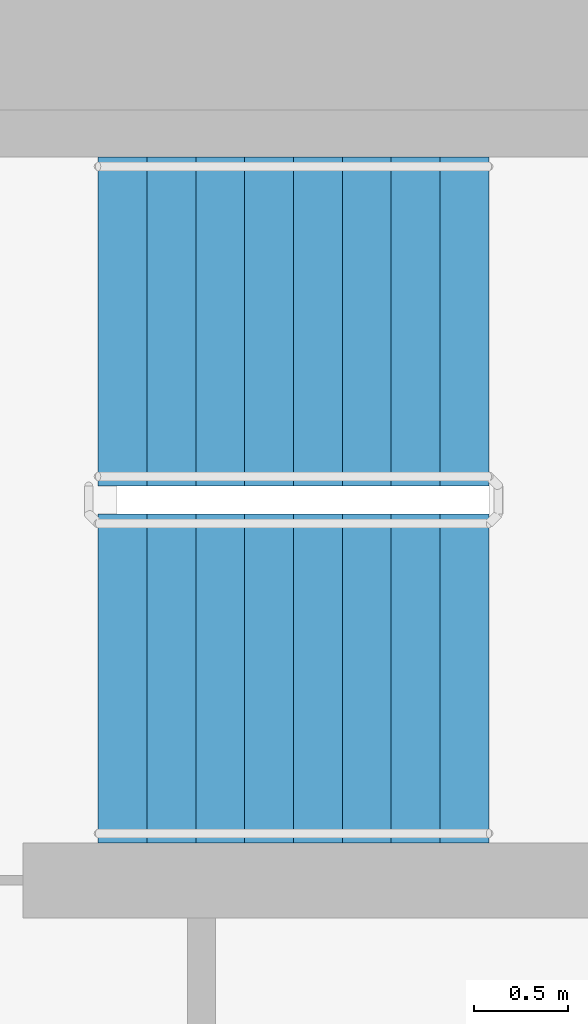
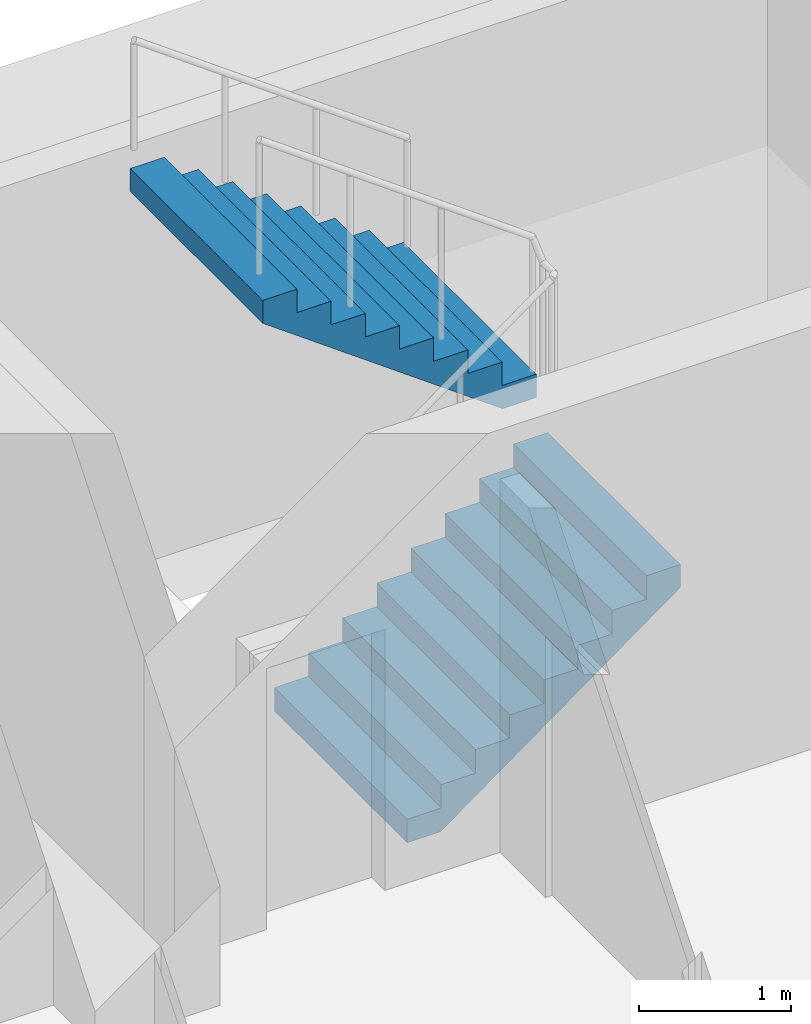
# One storey, part 16 of 21: 2 stair flights, 1 element without a shape of its own.
"""IFC4 building model written with IfcOpenShell, lengths in metres."""

from ifc_helpers import new_model, si_unit, direction, frame, origin, place, context, subcontext, project, spatial, faceted_brep, material, type_object, element, aggregate, save


model = new_model("IFC4")

# Units and contexts
model_context = context("Model", 3, precision=1e-05, world=origin(), true_north=direction((0.0, 1.0)))
body_context = subcontext(model_context, "Body", "Model", "MODEL_VIEW")
ifc_project = project(units=[si_unit("LENGTHUNIT", "METRE"), si_unit("AREAUNIT", "SQUARE_METRE"), si_unit("VOLUMEUNIT", "CUBIC_METRE"), si_unit("PLANEANGLEUNIT", "RADIAN"), si_unit("MASSUNIT", "GRAM", prefix="KILO")], contexts=[model_context])

# Site, building, storey
site_placement = place(None, origin())
site = spatial("IfcSite", under=ifc_project, at=site_placement, CompositionType="ELEMENT")
building_placement = place(site_placement, origin())
building = spatial("IfcBuilding", under=site, at=building_placement, Name="Ipe Terrace Towers", CompositionType="ELEMENT")
storey_placement = place(building_placement, frame((0.0, 0.0, 97.0)))
storey = spatial("IfcBuildingStorey", under=building, at=storey_placement, Name="L26", CompositionType="ELEMENT", Elevation=97.0)

# Stair, stair flights
ifc_material_1 = material(Name="Concrete C30/37", Category="concrete")
stair_type = type_object("IfcStairType", Name="Protected exit stair", PredefinedType="HALF_TURN_STAIR", material=ifc_material_1)
stair_placement = place(storey_placement, origin())
stair = element("IfcStair", 1, at=stair_placement, inside=storey, type_object=stair_type, Name="L26 Exit stair T1-C1", PredefinedType="HALF_TURN_STAIR")
ifc_material_2 = material(Name="Concrete C30/37", Category="concrete")
stair_flight_type = type_object("IfcStairFlightType", Name="Exit stair flight 1750", PredefinedType="STRAIGHT", material=ifc_material_2)
stair_flight_1_placement = place(storey_placement, frame((-26.300048828125, 2.77490234375, 0.0), z_axis=(0.0, 0.0, 1.0), x_axis=(1.0, 0.0, 0.0)))
stair_flight_1 = element("IfcStairFlight", 2, at=stair_flight_1_placement, type_object=stair_flight_type, Name="T1-ST1 flight 1", NumberOfRisers=9, NumberOfTreads=8, PredefinedType="STRAIGHT", RiserHeight=0.188888889, TreadLength=0.26, context=body_context, shape_type="Brep", body=[
    faceted_brep([(0.255126953125, -0.875, 0.0), (2.080078125, -0.875, 1.325927734375), (2.080078125, -0.875, 1.51123046875), (1.820068359375, -0.875, 1.51123046875), (1.820068359375, -0.875, 1.322265625), (1.56005859375, -0.875, 1.322265625), (1.56005859375, -0.875, 1.13330078125), (1.300048828125, -0.875, 1.13330078125), (1.300048828125, -0.875, 0.9443359375), (1.0400390625, -0.875, 0.9443359375), (1.0400390625, -0.875, 0.755615234375), (0.780029296875, -0.875, 0.755615234375), (0.780029296875, -0.875, 0.566650390625), (0.52001953125, -0.875, 0.566650390625), (0.52001953125, -0.875, 0.377685546875), (0.260009765625, -0.875, 0.377685546875), (0.260009765625, -0.875, 0.18896484375), (0.0, -0.875, 0.18896484375), (0.0, -0.875, 0.0), (0.0, 0.875, 0.0), (0.0, 0.875, 0.18896484375), (0.260009765625, 0.875, 0.18896484375), (0.260009765625, 0.875, 0.377685546875), (0.52001953125, 0.875, 0.377685546875), (0.52001953125, 0.875, 0.566650390625), (0.780029296875, 0.875, 0.566650390625), (0.780029296875, 0.875, 0.755615234375), (1.0400390625, 0.875, 0.755615234375), (1.0400390625, 0.875, 0.9443359375), (1.300048828125, 0.875, 0.9443359375), (1.300048828125, 0.875, 1.13330078125), (1.56005859375, 0.875, 1.13330078125), (1.56005859375, 0.875, 1.322265625), (1.820068359375, 0.875, 1.322265625), (1.820068359375, 0.875, 1.51123046875), (2.080078125, 0.875, 1.51123046875), (2.080078125, 0.875, 1.325927734375), (0.255126953125, 0.875, 0.0), (0.0, -0.300048828125, 0.18896484375), (0.0, -0.1201171875, 0.18896484375), (0.0, -0.06005859375, 0.18896484375), (0.0, -0.030029296875, 0.18896484375), (0.0, -0.010009765625, 0.18896484375), (0.0, 0.0, 0.18896484375), (0.0, 0.010009765625, 0.18896484375), (0.0, 0.030029296875, 0.18896484375), (0.0, 0.06005859375, 0.18896484375), (0.0, 0.1201171875, 0.18896484375), (0.0, 0.300048828125, 0.18896484375), (0.0, 0.300048828125, 0.0), (0.0, 0.1201171875, 0.0), (0.0, 0.06005859375, 0.0), (0.0, 0.030029296875, 0.0), (0.0, 0.010009765625, 0.0), (0.0, 0.0, 0.0), (0.0, -0.010009765625, 0.0), (0.0, -0.030029296875, 0.0), (0.0, -0.06005859375, 0.0), (0.0, -0.1201171875, 0.0), (0.0, -0.300048828125, 0.0), (0.260009765625, -0.300048828125, 0.18896484375), (0.260009765625, -0.1201171875, 0.18896484375), (0.260009765625, -0.06005859375, 0.18896484375), (0.260009765625, -0.030029296875, 0.18896484375), (0.260009765625, -0.010009765625, 0.18896484375), (0.260009765625, 0.0, 0.18896484375), (0.260009765625, 0.010009765625, 0.18896484375), (0.260009765625, 0.030029296875, 0.18896484375), (0.260009765625, 0.06005859375, 0.18896484375), (0.260009765625, 0.1201171875, 0.18896484375), (0.260009765625, 0.300048828125, 0.18896484375), (0.260009765625, -0.300048828125, 0.377685546875), (0.260009765625, -0.1201171875, 0.377685546875), (0.260009765625, -0.06005859375, 0.377685546875), (0.260009765625, -0.030029296875, 0.377685546875), (0.260009765625, -0.010009765625, 0.377685546875), (0.260009765625, 0.0, 0.377685546875), (0.260009765625, 0.010009765625, 0.377685546875), (0.260009765625, 0.030029296875, 0.377685546875), (0.260009765625, 0.06005859375, 0.377685546875), (0.260009765625, 0.1201171875, 0.377685546875), (0.260009765625, 0.300048828125, 0.377685546875), (0.52001953125, -0.300048828125, 0.377685546875), (0.52001953125, -0.1201171875, 0.377685546875), (0.52001953125, -0.06005859375, 0.377685546875), (0.52001953125, -0.030029296875, 0.377685546875), (0.52001953125, -0.010009765625, 0.377685546875), (0.52001953125, 0.0, 0.377685546875), (0.52001953125, 0.010009765625, 0.377685546875), (0.52001953125, 0.030029296875, 0.377685546875), (0.52001953125, 0.06005859375, 0.377685546875), (0.52001953125, 0.1201171875, 0.377685546875), (0.52001953125, 0.300048828125, 0.377685546875), (0.52001953125, -0.300048828125, 0.566650390625), (0.52001953125, -0.1201171875, 0.566650390625), (0.52001953125, -0.06005859375, 0.566650390625), (0.52001953125, -0.030029296875, 0.566650390625), (0.52001953125, -0.010009765625, 0.566650390625), (0.52001953125, 0.0, 0.566650390625), (0.52001953125, 0.010009765625, 0.566650390625), (0.52001953125, 0.030029296875, 0.566650390625), (0.52001953125, 0.06005859375, 0.566650390625), (0.52001953125, 0.1201171875, 0.566650390625), (0.52001953125, 0.300048828125, 0.566650390625), (0.780029296875, -0.300048828125, 0.566650390625), (0.780029296875, -0.1201171875, 0.566650390625), (0.780029296875, -0.06005859375, 0.566650390625), (0.780029296875, -0.030029296875, 0.566650390625), (0.780029296875, -0.010009765625, 0.566650390625), (0.780029296875, 0.0, 0.566650390625), (0.780029296875, 0.010009765625, 0.566650390625), (0.780029296875, 0.030029296875, 0.566650390625), (0.780029296875, 0.06005859375, 0.566650390625), (0.780029296875, 0.1201171875, 0.566650390625), (0.780029296875, 0.300048828125, 0.566650390625), (0.780029296875, -0.300048828125, 0.755615234375), (0.780029296875, -0.1201171875, 0.755615234375), (0.780029296875, -0.06005859375, 0.755615234375), (0.780029296875, -0.030029296875, 0.755615234375), (0.780029296875, -0.010009765625, 0.755615234375), (0.780029296875, 0.0, 0.755615234375), (0.780029296875, 0.010009765625, 0.755615234375), (0.780029296875, 0.030029296875, 0.755615234375), (0.780029296875, 0.06005859375, 0.755615234375), (0.780029296875, 0.1201171875, 0.755615234375), (0.780029296875, 0.300048828125, 0.755615234375), (1.0400390625, -0.300048828125, 0.755615234375), (1.0400390625, -0.1201171875, 0.755615234375), (1.0400390625, -0.06005859375, 0.755615234375), (1.0400390625, -0.030029296875, 0.755615234375), (1.0400390625, -0.010009765625, 0.755615234375), (1.0400390625, 0.0, 0.755615234375), (1.0400390625, 0.010009765625, 0.755615234375), (1.0400390625, 0.030029296875, 0.755615234375), (1.0400390625, 0.06005859375, 0.755615234375), (1.0400390625, 0.1201171875, 0.755615234375), (1.0400390625, 0.300048828125, 0.755615234375), (1.0400390625, -0.300048828125, 0.9443359375), (1.0400390625, -0.1201171875, 0.9443359375), (1.0400390625, -0.06005859375, 0.9443359375), (1.0400390625, -0.030029296875, 0.9443359375), (1.0400390625, -0.010009765625, 0.9443359375), (1.0400390625, 0.0, 0.9443359375), (1.0400390625, 0.010009765625, 0.9443359375), (1.0400390625, 0.030029296875, 0.9443359375), (1.0400390625, 0.06005859375, 0.9443359375), (1.0400390625, 0.1201171875, 0.9443359375), (1.0400390625, 0.300048828125, 0.9443359375), (1.300048828125, -0.300048828125, 0.9443359375), (1.300048828125, -0.1201171875, 0.9443359375), (1.300048828125, -0.06005859375, 0.9443359375), (1.300048828125, -0.030029296875, 0.9443359375), (1.300048828125, -0.010009765625, 0.9443359375), (1.300048828125, 0.0, 0.9443359375), (1.300048828125, 0.010009765625, 0.9443359375), (1.300048828125, 0.030029296875, 0.9443359375), (1.300048828125, 0.06005859375, 0.9443359375), (1.300048828125, 0.1201171875, 0.9443359375), (1.300048828125, 0.300048828125, 0.9443359375), (1.300048828125, -0.300048828125, 1.13330078125), (1.300048828125, -0.1201171875, 1.13330078125), (1.300048828125, -0.06005859375, 1.13330078125), (1.300048828125, -0.030029296875, 1.13330078125), (1.300048828125, -0.010009765625, 1.13330078125), (1.300048828125, 0.0, 1.13330078125), (1.300048828125, 0.010009765625, 1.13330078125), (1.300048828125, 0.030029296875, 1.13330078125), (1.300048828125, 0.06005859375, 1.13330078125), (1.300048828125, 0.1201171875, 1.13330078125), (1.300048828125, 0.300048828125, 1.13330078125), (1.56005859375, -0.300048828125, 1.13330078125), (1.56005859375, -0.1201171875, 1.13330078125), (1.56005859375, -0.06005859375, 1.13330078125), (1.56005859375, -0.030029296875, 1.13330078125), (1.56005859375, -0.010009765625, 1.13330078125), (1.56005859375, 0.0, 1.13330078125), (1.56005859375, 0.010009765625, 1.13330078125), (1.56005859375, 0.030029296875, 1.13330078125), (1.56005859375, 0.06005859375, 1.13330078125), (1.56005859375, 0.1201171875, 1.13330078125), (1.56005859375, 0.300048828125, 1.13330078125), (1.56005859375, -0.300048828125, 1.322265625), (1.56005859375, -0.1201171875, 1.322265625), (1.56005859375, -0.06005859375, 1.322265625), (1.56005859375, -0.030029296875, 1.322265625), (1.56005859375, -0.010009765625, 1.322265625), (1.56005859375, 0.0, 1.322265625), (1.56005859375, 0.010009765625, 1.322265625), (1.56005859375, 0.030029296875, 1.322265625), (1.56005859375, 0.06005859375, 1.322265625), (1.56005859375, 0.1201171875, 1.322265625), (1.56005859375, 0.300048828125, 1.322265625), (1.820068359375, -0.300048828125, 1.322265625), (1.820068359375, -0.1201171875, 1.322265625), (1.820068359375, -0.06005859375, 1.322265625), (1.820068359375, -0.030029296875, 1.322265625), (1.820068359375, -0.010009765625, 1.322265625), (1.820068359375, 0.0, 1.322265625), (1.820068359375, 0.010009765625, 1.322265625), (1.820068359375, 0.030029296875, 1.322265625), (1.820068359375, 0.06005859375, 1.322265625), (1.820068359375, 0.1201171875, 1.322265625), (1.820068359375, 0.300048828125, 1.322265625), (1.820068359375, -0.300048828125, 1.51123046875), (1.820068359375, -0.1201171875, 1.51123046875), (1.820068359375, -0.06005859375, 1.51123046875), (1.820068359375, -0.030029296875, 1.51123046875), (1.820068359375, -0.010009765625, 1.51123046875), (1.820068359375, 0.0, 1.51123046875), (1.820068359375, 0.010009765625, 1.51123046875), (1.820068359375, 0.030029296875, 1.51123046875), (1.820068359375, 0.06005859375, 1.51123046875), (1.820068359375, 0.1201171875, 1.51123046875), (1.820068359375, 0.300048828125, 1.51123046875), (2.080078125, -0.300048828125, 1.51123046875), (2.080078125, -0.1201171875, 1.51123046875), (2.080078125, -0.06005859375, 1.51123046875), (2.080078125, -0.030029296875, 1.51123046875), (2.080078125, -0.010009765625, 1.51123046875), (2.080078125, 0.0, 1.51123046875), (2.080078125, 0.010009765625, 1.51123046875), (2.080078125, 0.030029296875, 1.51123046875), (2.080078125, 0.06005859375, 1.51123046875), (2.080078125, 0.1201171875, 1.51123046875), (2.080078125, 0.300048828125, 1.51123046875), (2.080078125, -0.300048828125, 1.325927734375), (2.080078125, -0.1201171875, 1.325927734375), (2.080078125, -0.06005859375, 1.325927734375), (2.080078125, -0.030029296875, 1.325927734375), (2.080078125, -0.010009765625, 1.325927734375), (2.080078125, 0.0, 1.325927734375), (2.080078125, 0.010009765625, 1.325927734375), (2.080078125, 0.030029296875, 1.325927734375), (2.080078125, 0.06005859375, 1.325927734375), (2.080078125, 0.1201171875, 1.325927734375), (2.080078125, 0.300048828125, 1.325927734375), (0.255126953125, -0.300048828125, 0.0), (0.255126953125, -0.1201171875, 0.0), (0.255126953125, -0.06005859375, 0.0), (0.255126953125, -0.030029296875, 0.0), (0.255126953125, -0.010009765625, 0.0), (0.255126953125, 0.0, 0.0), (0.255126953125, 0.010009765625, 0.0), (0.255126953125, 0.030029296875, 0.0), (0.255126953125, 0.06005859375, 0.0), (0.255126953125, 0.1201171875, 0.0), (0.255126953125, 0.300048828125, 0.0)], [[[0, 1, 2, 3, 4, 5, 6, 7, 8, 9, 10, 11, 12, 13, 14, 15, 16, 17, 18]], [[19, 20, 21, 22, 23, 24, 25, 26, 27, 28, 29, 30, 31, 32, 33, 34, 35, 36, 37]], [[17, 38, 39, 40, 41, 42, 43, 44, 45, 46, 47, 48, 20, 19, 49, 50, 51, 52, 53, 54, 55, 56, 57, 58, 59, 18]], [[16, 60, 61, 62, 63, 64, 65, 66, 67, 68, 69, 70, 21, 20, 48, 47, 46, 45, 44, 43, 42, 41, 40, 39, 38, 17]], [[15, 71, 72, 73, 74, 75, 76, 77, 78, 79, 80, 81, 22, 21, 70, 69, 68, 67, 66, 65, 64, 63, 62, 61, 60, 16]], [[14, 82, 83, 84, 85, 86, 87, 88, 89, 90, 91, 92, 23, 22, 81, 80, 79, 78, 77, 76, 75, 74, 73, 72, 71, 15]], [[13, 93, 94, 95, 96, 97, 98, 99, 100, 101, 102, 103, 24, 23, 92, 91, 90, 89, 88, 87, 86, 85, 84, 83, 82, 14]], [[12, 104, 105, 106, 107, 108, 109, 110, 111, 112, 113, 114, 25, 24, 103, 102, 101, 100, 99, 98, 97, 96, 95, 94, 93, 13]], [[11, 115, 116, 117, 118, 119, 120, 121, 122, 123, 124, 125, 26, 25, 114, 113, 112, 111, 110, 109, 108, 107, 106, 105, 104, 12]], [[10, 126, 127, 128, 129, 130, 131, 132, 133, 134, 135, 136, 27, 26, 125, 124, 123, 122, 121, 120, 119, 118, 117, 116, 115, 11]], [[9, 137, 138, 139, 140, 141, 142, 143, 144, 145, 146, 147, 28, 27, 136, 135, 134, 133, 132, 131, 130, 129, 128, 127, 126, 10]], [[8, 148, 149, 150, 151, 152, 153, 154, 155, 156, 157, 158, 29, 28, 147, 146, 145, 144, 143, 142, 141, 140, 139, 138, 137, 9]], [[7, 159, 160, 161, 162, 163, 164, 165, 166, 167, 168, 169, 30, 29, 158, 157, 156, 155, 154, 153, 152, 151, 150, 149, 148, 8]], [[6, 170, 171, 172, 173, 174, 175, 176, 177, 178, 179, 180, 31, 30, 169, 168, 167, 166, 165, 164, 163, 162, 161, 160, 159, 7]], [[5, 181, 182, 183, 184, 185, 186, 187, 188, 189, 190, 191, 32, 31, 180, 179, 178, 177, 176, 175, 174, 173, 172, 171, 170, 6]], [[4, 192, 193, 194, 195, 196, 197, 198, 199, 200, 201, 202, 33, 32, 191, 190, 189, 188, 187, 186, 185, 184, 183, 182, 181, 5]], [[3, 203, 204, 205, 206, 207, 208, 209, 210, 211, 212, 213, 34, 33, 202, 201, 200, 199, 198, 197, 196, 195, 194, 193, 192, 4]], [[2, 214, 215, 216, 217, 218, 219, 220, 221, 222, 223, 224, 35, 34, 213, 212, 211, 210, 209, 208, 207, 206, 205, 204, 203, 3]], [[1, 225, 226, 227, 228, 229, 230, 231, 232, 233, 234, 235, 36, 35, 224, 223, 222, 221, 220, 219, 218, 217, 216, 215, 214, 2]], [[0, 236, 237, 238, 239, 240, 241, 242, 243, 244, 245, 246, 37, 36, 235, 234, 233, 232, 231, 230, 229, 228, 227, 226, 225, 1]], [[18, 59, 58, 57, 56, 55, 54, 53, 52, 51, 50, 49, 19, 37, 246, 245, 244, 243, 242, 241, 240, 239, 238, 237, 236, 0]]]),
])
stair_flight_2_placement = place(storey_placement, frame((-24.219970703125, 4.675048828125, 1.699951171875), z_axis=(0.0, 0.0, 1.0), x_axis=(-1.0, 0.0, 0.0)))
stair_flight_2 = element("IfcStairFlight", 3, at=stair_flight_2_placement, type_object=stair_flight_type, Name="T1-ST1 flight 2", NumberOfRisers=9, NumberOfTreads=8, PredefinedType="STRAIGHT", RiserHeight=0.188888889, TreadLength=0.26, context=body_context, shape_type="Brep", body=[
    faceted_brep([(0.255126953125, -0.875, 0.0), (2.080078125, -0.875, 1.325927734375), (2.080078125, -0.875, 1.51123046875), (1.820068359375, -0.875, 1.51123046875), (1.820068359375, -0.875, 1.322265625), (1.56005859375, -0.875, 1.322265625), (1.56005859375, -0.875, 1.13330078125), (1.300048828125, -0.875, 1.13330078125), (1.300048828125, -0.875, 0.9443359375), (1.0400390625, -0.875, 0.9443359375), (1.0400390625, -0.875, 0.755615234375), (0.780029296875, -0.875, 0.755615234375), (0.780029296875, -0.875, 0.566650390625), (0.52001953125, -0.875, 0.566650390625), (0.52001953125, -0.875, 0.377685546875), (0.260009765625, -0.875, 0.377685546875), (0.260009765625, -0.875, 0.18896484375), (0.0, -0.875, 0.18896484375), (0.0, -0.875, 0.0), (0.0, 0.875, 0.0), (0.0, 0.875, 0.18896484375), (0.260009765625, 0.875, 0.18896484375), (0.260009765625, 0.875, 0.377685546875), (0.52001953125, 0.875, 0.377685546875), (0.52001953125, 0.875, 0.566650390625), (0.780029296875, 0.875, 0.566650390625), (0.780029296875, 0.875, 0.755615234375), (1.0400390625, 0.875, 0.755615234375), (1.0400390625, 0.875, 0.9443359375), (1.300048828125, 0.875, 0.9443359375), (1.300048828125, 0.875, 1.13330078125), (1.56005859375, 0.875, 1.13330078125), (1.56005859375, 0.875, 1.322265625), (1.820068359375, 0.875, 1.322265625), (1.820068359375, 0.875, 1.51123046875), (2.080078125, 0.875, 1.51123046875), (2.080078125, 0.875, 1.325927734375), (0.255126953125, 0.875, 0.0), (0.0, -0.300048828125, 0.18896484375), (0.0, -0.1201171875, 0.18896484375), (0.0, -0.06005859375, 0.18896484375), (0.0, -0.030029296875, 0.18896484375), (0.0, -0.010009765625, 0.18896484375), (0.0, 0.0, 0.18896484375), (0.0, 0.010009765625, 0.18896484375), (0.0, 0.030029296875, 0.18896484375), (0.0, 0.06005859375, 0.18896484375), (0.0, 0.1201171875, 0.18896484375), (0.0, 0.300048828125, 0.18896484375), (0.0, 0.300048828125, 0.0), (0.0, 0.1201171875, 0.0), (0.0, 0.06005859375, 0.0), (0.0, 0.030029296875, 0.0), (0.0, 0.010009765625, 0.0), (0.0, 0.0, 0.0), (0.0, -0.010009765625, 0.0), (0.0, -0.030029296875, 0.0), (0.0, -0.06005859375, 0.0), (0.0, -0.1201171875, 0.0), (0.0, -0.300048828125, 0.0), (0.260009765625, -0.300048828125, 0.18896484375), (0.260009765625, -0.1201171875, 0.18896484375), (0.260009765625, -0.06005859375, 0.18896484375), (0.260009765625, -0.030029296875, 0.18896484375), (0.260009765625, -0.010009765625, 0.18896484375), (0.260009765625, 0.0, 0.18896484375), (0.260009765625, 0.010009765625, 0.18896484375), (0.260009765625, 0.030029296875, 0.18896484375), (0.260009765625, 0.06005859375, 0.18896484375), (0.260009765625, 0.1201171875, 0.18896484375), (0.260009765625, 0.300048828125, 0.18896484375), (0.260009765625, -0.300048828125, 0.377685546875), (0.260009765625, -0.1201171875, 0.377685546875), (0.260009765625, -0.06005859375, 0.377685546875), (0.260009765625, -0.030029296875, 0.377685546875), (0.260009765625, -0.010009765625, 0.377685546875), (0.260009765625, 0.0, 0.377685546875), (0.260009765625, 0.010009765625, 0.377685546875), (0.260009765625, 0.030029296875, 0.377685546875), (0.260009765625, 0.06005859375, 0.377685546875), (0.260009765625, 0.1201171875, 0.377685546875), (0.260009765625, 0.300048828125, 0.377685546875), (0.52001953125, -0.300048828125, 0.377685546875), (0.52001953125, -0.1201171875, 0.377685546875), (0.52001953125, -0.06005859375, 0.377685546875), (0.52001953125, -0.030029296875, 0.377685546875), (0.52001953125, -0.010009765625, 0.377685546875), (0.52001953125, 0.0, 0.377685546875), (0.52001953125, 0.010009765625, 0.377685546875), (0.52001953125, 0.030029296875, 0.377685546875), (0.52001953125, 0.06005859375, 0.377685546875), (0.52001953125, 0.1201171875, 0.377685546875), (0.52001953125, 0.300048828125, 0.377685546875), (0.52001953125, -0.300048828125, 0.566650390625), (0.52001953125, -0.1201171875, 0.566650390625), (0.52001953125, -0.06005859375, 0.566650390625), (0.52001953125, -0.030029296875, 0.566650390625), (0.52001953125, -0.010009765625, 0.566650390625), (0.52001953125, 0.0, 0.566650390625), (0.52001953125, 0.010009765625, 0.566650390625), (0.52001953125, 0.030029296875, 0.566650390625), (0.52001953125, 0.06005859375, 0.566650390625), (0.52001953125, 0.1201171875, 0.566650390625), (0.52001953125, 0.300048828125, 0.566650390625), (0.780029296875, -0.300048828125, 0.566650390625), (0.780029296875, -0.1201171875, 0.566650390625), (0.780029296875, -0.06005859375, 0.566650390625), (0.780029296875, -0.030029296875, 0.566650390625), (0.780029296875, -0.010009765625, 0.566650390625), (0.780029296875, 0.0, 0.566650390625), (0.780029296875, 0.010009765625, 0.566650390625), (0.780029296875, 0.030029296875, 0.566650390625), (0.780029296875, 0.06005859375, 0.566650390625), (0.780029296875, 0.1201171875, 0.566650390625), (0.780029296875, 0.300048828125, 0.566650390625), (0.780029296875, -0.300048828125, 0.755615234375), (0.780029296875, -0.1201171875, 0.755615234375), (0.780029296875, -0.06005859375, 0.755615234375), (0.780029296875, -0.030029296875, 0.755615234375), (0.780029296875, -0.010009765625, 0.755615234375), (0.780029296875, 0.0, 0.755615234375), (0.780029296875, 0.010009765625, 0.755615234375), (0.780029296875, 0.030029296875, 0.755615234375), (0.780029296875, 0.06005859375, 0.755615234375), (0.780029296875, 0.1201171875, 0.755615234375), (0.780029296875, 0.300048828125, 0.755615234375), (1.0400390625, -0.300048828125, 0.755615234375), (1.0400390625, -0.1201171875, 0.755615234375), (1.0400390625, -0.06005859375, 0.755615234375), (1.0400390625, -0.030029296875, 0.755615234375), (1.0400390625, -0.010009765625, 0.755615234375), (1.0400390625, 0.0, 0.755615234375), (1.0400390625, 0.010009765625, 0.755615234375), (1.0400390625, 0.030029296875, 0.755615234375), (1.0400390625, 0.06005859375, 0.755615234375), (1.0400390625, 0.1201171875, 0.755615234375), (1.0400390625, 0.300048828125, 0.755615234375), (1.0400390625, -0.300048828125, 0.9443359375), (1.0400390625, -0.1201171875, 0.9443359375), (1.0400390625, -0.06005859375, 0.9443359375), (1.0400390625, -0.030029296875, 0.9443359375), (1.0400390625, -0.010009765625, 0.9443359375), (1.0400390625, 0.0, 0.9443359375), (1.0400390625, 0.010009765625, 0.9443359375), (1.0400390625, 0.030029296875, 0.9443359375), (1.0400390625, 0.06005859375, 0.9443359375), (1.0400390625, 0.1201171875, 0.9443359375), (1.0400390625, 0.300048828125, 0.9443359375), (1.300048828125, -0.300048828125, 0.9443359375), (1.300048828125, -0.1201171875, 0.9443359375), (1.300048828125, -0.06005859375, 0.9443359375), (1.300048828125, -0.030029296875, 0.9443359375), (1.300048828125, -0.010009765625, 0.9443359375), (1.300048828125, 0.0, 0.9443359375), (1.300048828125, 0.010009765625, 0.9443359375), (1.300048828125, 0.030029296875, 0.9443359375), (1.300048828125, 0.06005859375, 0.9443359375), (1.300048828125, 0.1201171875, 0.9443359375), (1.300048828125, 0.300048828125, 0.9443359375), (1.300048828125, -0.300048828125, 1.13330078125), (1.300048828125, -0.1201171875, 1.13330078125), (1.300048828125, -0.06005859375, 1.13330078125), (1.300048828125, -0.030029296875, 1.13330078125), (1.300048828125, -0.010009765625, 1.13330078125), (1.300048828125, 0.0, 1.13330078125), (1.300048828125, 0.010009765625, 1.13330078125), (1.300048828125, 0.030029296875, 1.13330078125), (1.300048828125, 0.06005859375, 1.13330078125), (1.300048828125, 0.1201171875, 1.13330078125), (1.300048828125, 0.300048828125, 1.13330078125), (1.56005859375, -0.300048828125, 1.13330078125), (1.56005859375, -0.1201171875, 1.13330078125), (1.56005859375, -0.06005859375, 1.13330078125), (1.56005859375, -0.030029296875, 1.13330078125), (1.56005859375, -0.010009765625, 1.13330078125), (1.56005859375, 0.0, 1.13330078125), (1.56005859375, 0.010009765625, 1.13330078125), (1.56005859375, 0.030029296875, 1.13330078125), (1.56005859375, 0.06005859375, 1.13330078125), (1.56005859375, 0.1201171875, 1.13330078125), (1.56005859375, 0.300048828125, 1.13330078125), (1.56005859375, -0.300048828125, 1.322265625), (1.56005859375, -0.1201171875, 1.322265625), (1.56005859375, -0.06005859375, 1.322265625), (1.56005859375, -0.030029296875, 1.322265625), (1.56005859375, -0.010009765625, 1.322265625), (1.56005859375, 0.0, 1.322265625), (1.56005859375, 0.010009765625, 1.322265625), (1.56005859375, 0.030029296875, 1.322265625), (1.56005859375, 0.06005859375, 1.322265625), (1.56005859375, 0.1201171875, 1.322265625), (1.56005859375, 0.300048828125, 1.322265625), (1.820068359375, -0.300048828125, 1.322265625), (1.820068359375, -0.1201171875, 1.322265625), (1.820068359375, -0.06005859375, 1.322265625), (1.820068359375, -0.030029296875, 1.322265625), (1.820068359375, -0.010009765625, 1.322265625), (1.820068359375, 0.0, 1.322265625), (1.820068359375, 0.010009765625, 1.322265625), (1.820068359375, 0.030029296875, 1.322265625), (1.820068359375, 0.06005859375, 1.322265625), (1.820068359375, 0.1201171875, 1.322265625), (1.820068359375, 0.300048828125, 1.322265625), (1.820068359375, -0.300048828125, 1.51123046875), (1.820068359375, -0.1201171875, 1.51123046875), (1.820068359375, -0.06005859375, 1.51123046875), (1.820068359375, -0.030029296875, 1.51123046875), (1.820068359375, -0.010009765625, 1.51123046875), (1.820068359375, 0.0, 1.51123046875), (1.820068359375, 0.010009765625, 1.51123046875), (1.820068359375, 0.030029296875, 1.51123046875), (1.820068359375, 0.06005859375, 1.51123046875), (1.820068359375, 0.1201171875, 1.51123046875), (1.820068359375, 0.300048828125, 1.51123046875), (2.080078125, -0.300048828125, 1.51123046875), (2.080078125, -0.1201171875, 1.51123046875), (2.080078125, -0.06005859375, 1.51123046875), (2.080078125, -0.030029296875, 1.51123046875), (2.080078125, -0.010009765625, 1.51123046875), (2.080078125, 0.0, 1.51123046875), (2.080078125, 0.010009765625, 1.51123046875), (2.080078125, 0.030029296875, 1.51123046875), (2.080078125, 0.06005859375, 1.51123046875), (2.080078125, 0.1201171875, 1.51123046875), (2.080078125, 0.300048828125, 1.51123046875), (2.080078125, -0.300048828125, 1.325927734375), (2.080078125, -0.1201171875, 1.325927734375), (2.080078125, -0.06005859375, 1.325927734375), (2.080078125, -0.030029296875, 1.325927734375), (2.080078125, -0.010009765625, 1.325927734375), (2.080078125, 0.0, 1.325927734375), (2.080078125, 0.010009765625, 1.325927734375), (2.080078125, 0.030029296875, 1.325927734375), (2.080078125, 0.06005859375, 1.325927734375), (2.080078125, 0.1201171875, 1.325927734375), (2.080078125, 0.300048828125, 1.325927734375), (0.255126953125, -0.300048828125, 0.0), (0.255126953125, -0.1201171875, 0.0), (0.255126953125, -0.06005859375, 0.0), (0.255126953125, -0.030029296875, 0.0), (0.255126953125, -0.010009765625, 0.0), (0.255126953125, 0.0, 0.0), (0.255126953125, 0.010009765625, 0.0), (0.255126953125, 0.030029296875, 0.0), (0.255126953125, 0.06005859375, 0.0), (0.255126953125, 0.1201171875, 0.0), (0.255126953125, 0.300048828125, 0.0)], [[[0, 1, 2, 3, 4, 5, 6, 7, 8, 9, 10, 11, 12, 13, 14, 15, 16, 17, 18]], [[19, 20, 21, 22, 23, 24, 25, 26, 27, 28, 29, 30, 31, 32, 33, 34, 35, 36, 37]], [[17, 38, 39, 40, 41, 42, 43, 44, 45, 46, 47, 48, 20, 19, 49, 50, 51, 52, 53, 54, 55, 56, 57, 58, 59, 18]], [[16, 60, 61, 62, 63, 64, 65, 66, 67, 68, 69, 70, 21, 20, 48, 47, 46, 45, 44, 43, 42, 41, 40, 39, 38, 17]], [[15, 71, 72, 73, 74, 75, 76, 77, 78, 79, 80, 81, 22, 21, 70, 69, 68, 67, 66, 65, 64, 63, 62, 61, 60, 16]], [[14, 82, 83, 84, 85, 86, 87, 88, 89, 90, 91, 92, 23, 22, 81, 80, 79, 78, 77, 76, 75, 74, 73, 72, 71, 15]], [[13, 93, 94, 95, 96, 97, 98, 99, 100, 101, 102, 103, 24, 23, 92, 91, 90, 89, 88, 87, 86, 85, 84, 83, 82, 14]], [[12, 104, 105, 106, 107, 108, 109, 110, 111, 112, 113, 114, 25, 24, 103, 102, 101, 100, 99, 98, 97, 96, 95, 94, 93, 13]], [[11, 115, 116, 117, 118, 119, 120, 121, 122, 123, 124, 125, 26, 25, 114, 113, 112, 111, 110, 109, 108, 107, 106, 105, 104, 12]], [[10, 126, 127, 128, 129, 130, 131, 132, 133, 134, 135, 136, 27, 26, 125, 124, 123, 122, 121, 120, 119, 118, 117, 116, 115, 11]], [[9, 137, 138, 139, 140, 141, 142, 143, 144, 145, 146, 147, 28, 27, 136, 135, 134, 133, 132, 131, 130, 129, 128, 127, 126, 10]], [[8, 148, 149, 150, 151, 152, 153, 154, 155, 156, 157, 158, 29, 28, 147, 146, 145, 144, 143, 142, 141, 140, 139, 138, 137, 9]], [[7, 159, 160, 161, 162, 163, 164, 165, 166, 167, 168, 169, 30, 29, 158, 157, 156, 155, 154, 153, 152, 151, 150, 149, 148, 8]], [[6, 170, 171, 172, 173, 174, 175, 176, 177, 178, 179, 180, 31, 30, 169, 168, 167, 166, 165, 164, 163, 162, 161, 160, 159, 7]], [[5, 181, 182, 183, 184, 185, 186, 187, 188, 189, 190, 191, 32, 31, 180, 179, 178, 177, 176, 175, 174, 173, 172, 171, 170, 6]], [[4, 192, 193, 194, 195, 196, 197, 198, 199, 200, 201, 202, 33, 32, 191, 190, 189, 188, 187, 186, 185, 184, 183, 182, 181, 5]], [[3, 203, 204, 205, 206, 207, 208, 209, 210, 211, 212, 213, 34, 33, 202, 201, 200, 199, 198, 197, 196, 195, 194, 193, 192, 4]], [[2, 214, 215, 216, 217, 218, 219, 220, 221, 222, 223, 224, 35, 34, 213, 212, 211, 210, 209, 208, 207, 206, 205, 204, 203, 3]], [[1, 225, 226, 227, 228, 229, 230, 231, 232, 233, 234, 235, 36, 35, 224, 223, 222, 221, 220, 219, 218, 217, 216, 215, 214, 2]], [[0, 236, 237, 238, 239, 240, 241, 242, 243, 244, 245, 246, 37, 36, 235, 234, 233, 232, 231, 230, 229, 228, 227, 226, 225, 1]], [[18, 59, 58, 57, 56, 55, 54, 53, 52, 51, 50, 49, 19, 37, 246, 245, 244, 243, 242, 241, 240, 239, 238, 237, 236, 0]]]),
])
aggregate(stair, [stair_flight_1, stair_flight_2])

save(model, "model.ifc")
